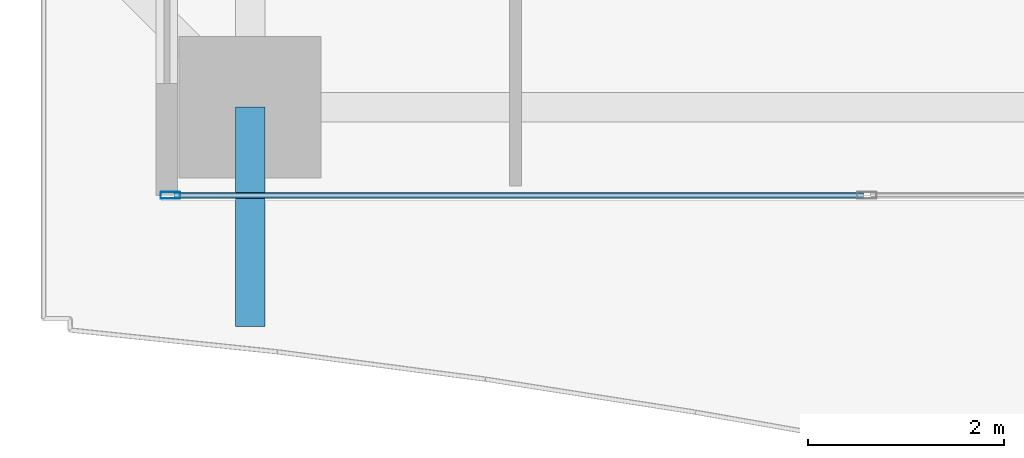
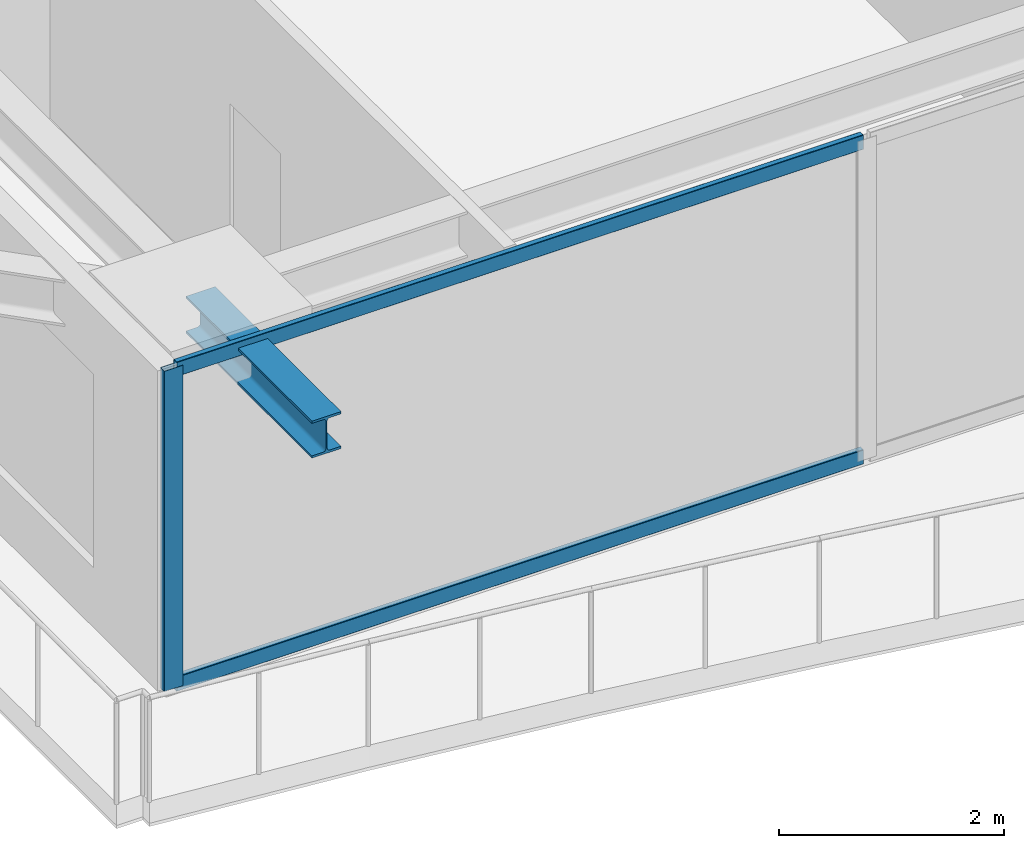
# One storey, part 2 of 41: 3 members, 1 beam, 1 element without a shape of its own.
"""IFC4 building model written with IfcOpenShell, lengths in metres."""

from ifc_helpers import new_model, si_unit, direction, frame, origin, origin_2d, place, context, subcontext, project, spatial, hollow_rectangle, i_section, extrude, source, transform, mapped, material, layer, layer_set, material_profile, profile_set, type_object, element, aggregate, save


model = new_model("IFC4")

# Units and contexts
model_context = context("Model", 3, precision=1e-05, world=origin(), true_north=direction((0.0, 1.0)))
body_context = subcontext(model_context, "Body", "Model", "MODEL_VIEW")
ifc_project = project(units=[si_unit("LENGTHUNIT", "METRE"), si_unit("AREAUNIT", "SQUARE_METRE"), si_unit("VOLUMEUNIT", "CUBIC_METRE"), si_unit("PLANEANGLEUNIT", "RADIAN"), si_unit("MASSUNIT", "GRAM", prefix="KILO")], contexts=[model_context])

# Site, building, storey
site_placement = place(None, origin())
site = spatial("IfcSite", under=ifc_project, at=site_placement, CompositionType="ELEMENT")
building_placement = place(site_placement, origin())
building = spatial("IfcBuilding", under=site, at=building_placement, Name="Serunith Strait Residences", CompositionType="ELEMENT")
storey_placement = place(building_placement, frame((0.0, 0.0, 45.449951171875)))
storey = spatial("IfcBuildingStorey", under=building, at=storey_placement, Name="L10", CompositionType="ELEMENT", Elevation=45.449951171875)

# Beam
ifc_material_1 = material(Name="Steel S355J2", Category="steel")
ifc_material_profile_1 = material_profile(ifc_material_1, i_section(OverallWidth=0.300048828125, OverallDepth=0.39990234375, WebThickness=0.013427734375, FlangeThickness=0.02392578125, FilletRadius=0.027099609375, at=origin_2d()), Name="HEB 400")
ifc_profile_set_1 = profile_set([ifc_material_profile_1], Name="Steel S355J2")
beam_type = type_object("IfcBeamType", Name="BM-HEB400", PredefinedType="BEAM", material=ifc_profile_set_1)
shared_shape_1 = source(origin(), body_context, "Body", "SweptSolid", [
    extrude(i_section(OverallWidth=0.300048828125, OverallDepth=0.39990234375, WebThickness=0.013427734375, FlangeThickness=0.02392578125, FilletRadius=0.027099609375, at=origin_2d()), origin(), (0.0, 0.0, 1.0), 2.23828125),
])
beam_placement = place(storey_placement, frame((15.25, 1.10009765625, 3.257080078125), z_axis=(0.0, -1.0, 0.0), x_axis=(1.0, 0.0, 0.0)))
element("IfcBeam", 1, at=beam_placement, inside=storey, type_object=beam_type, Name="L11 Cantilevered Balcony Rib TC-S1", PredefinedType="BEAM", context=body_context, shape_type="MappedRepresentation", body=[
    mapped(shared_shape_1, transform((0.0, 0.0, 0.0), scale=1.0)),
])

# Curtain wall, members
ifc_material_2 = material(Name="Pale-Champagne Anodised Aluminium", Category="aluminium")
ifc_layer = layer(ifc_material_2, 0.199951171875, Name="Pale-Champagne Anodised Aluminium")
ifc_layer_set = layer_set([ifc_layer], Name="Pale-Champagne Anodised Aluminium")
curtain_wall_type = type_object("IfcCurtainWallType", Name="CW-SYS1", PredefinedType="NOTDEFINED", material=ifc_layer_set)
curtain_wall_placement = place(storey_placement, origin())
curtain_wall = element("IfcCurtainWall", 2, at=curtain_wall_placement, inside=storey, type_object=curtain_wall_type, Name="L10 S Unitised Fritted Curtain Wall", PredefinedType="NOTDEFINED")
ifc_material_profile_2 = material_profile(ifc_material_2, hollow_rectangle(XDim=0.070068359375, YDim=0.199951171875, WallThickness=0.00390625, InnerFilletRadius=0.006103515625, OuterFilletRadius=0.010009765625, at=origin_2d()), Name="ALU 200x70x4")
ifc_profile_set_2 = profile_set([ifc_material_profile_2], Name="Pale-Champagne Anodised Aluminium")
member_type_1 = type_object("IfcMemberType", Name="CW-SYS1-MULL", PredefinedType="MULLION", material=ifc_profile_set_2)
shared_shape_2 = source(origin(), body_context, "Body", "SweptSolid", [
    extrude(hollow_rectangle(XDim=0.070068359375, YDim=0.199951171875, WallThickness=0.00390625, InnerFilletRadius=0.006103515625, OuterFilletRadius=0.010009765625, at=origin_2d()), origin(), (0.0, 0.0, 1.0), 3.47509765625),
])
member_1_placement = place(storey_placement, frame((14.43505859375, 0.199951171875, 0.0), z_axis=(0.0, 0.0, 1.0), x_axis=(0.0, 1.0, 0.0)))
member_1 = element("IfcMember", 3, at=member_1_placement, type_object=member_type_1, Name="CW-1 mullion 1", PredefinedType="MULLION", context=body_context, shape_type="MappedRepresentation", body=[
    mapped(shared_shape_2, transform((0.0, 0.0, 0.0), scale=1.0)),
])
ifc_material_profile_3 = material_profile(ifc_material_2, hollow_rectangle(XDim=0.06005859375, YDim=0.159912109375, WallThickness=0.00341796875, InnerFilletRadius=0.00537109375, OuterFilletRadius=0.0087890625, at=origin_2d()), Name="ALU 160x60x3.5")
ifc_profile_set_3 = profile_set([ifc_material_profile_3], Name="Pale-Champagne Anodised Aluminium")
member_type_2 = type_object("IfcMemberType", Name="CW-SYS1-TRAN", PredefinedType="USERDEFINED", material=ifc_profile_set_3)
shared_shape_3 = source(origin(), body_context, "Body", "SweptSolid", [
    extrude(hollow_rectangle(XDim=0.06005859375, YDim=0.159912109375, WallThickness=0.00341796875, InnerFilletRadius=0.00537109375, OuterFilletRadius=0.0087890625, at=origin_2d()), origin(), (0.0, 0.0, 1.0), 7.044921875),
])
member_2_placement = place(storey_placement, frame((14.469970703125, 0.199951171875, 0.030029296875), z_axis=(1.0, 0.0, 0.0), x_axis=(0.0, 1.0, 0.0)))
member_2 = element("IfcMember", 4, at=member_2_placement, type_object=member_type_2, Name="CW-1 transom 1.1", ObjectType="TRANSOM", PredefinedType="USERDEFINED", context=body_context, shape_type="MappedRepresentation", body=[
    mapped(shared_shape_3, transform((0.0, 0.0, 0.0), scale=1.0)),
])
member_3_placement = place(storey_placement, frame((14.469970703125, 0.199951171875, 3.445068359375), z_axis=(1.0, 0.0, 0.0), x_axis=(0.0, 1.0, 0.0)))
member_3 = element("IfcMember", 5, at=member_3_placement, type_object=member_type_2, Name="CW-1 transom 1.2", ObjectType="TRANSOM", PredefinedType="USERDEFINED", context=body_context, shape_type="MappedRepresentation", body=[
    mapped(shared_shape_3, transform((0.0, 0.0, 0.0), scale=1.0)),
])
aggregate(curtain_wall, [member_1, member_2, member_3])

save(model, "model.ifc")
